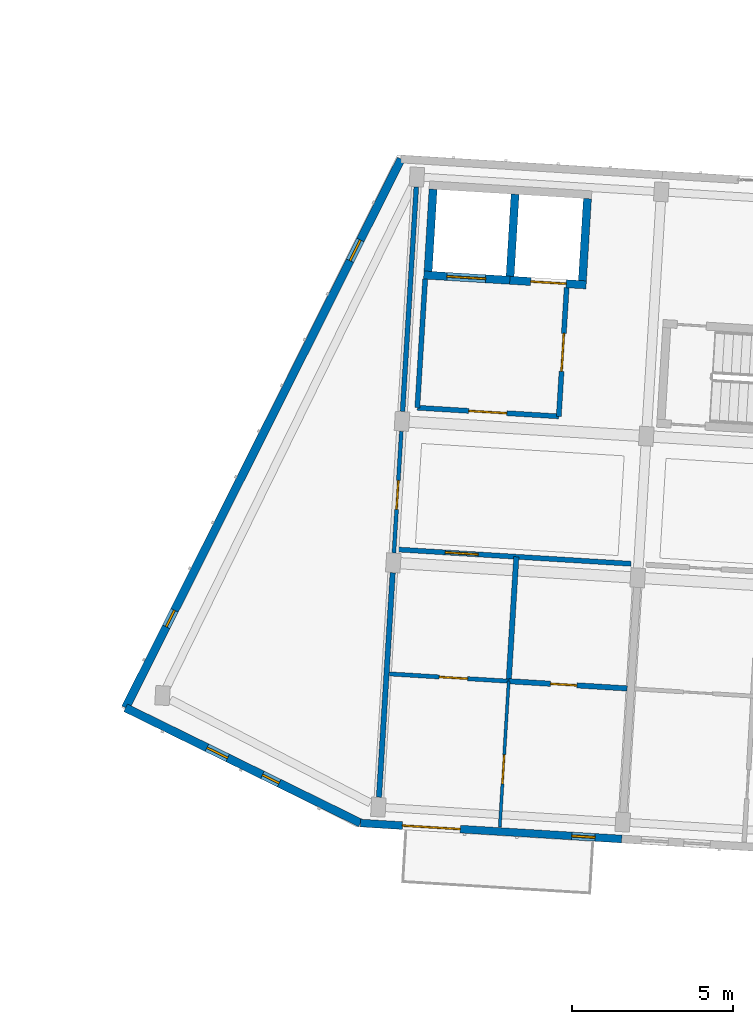
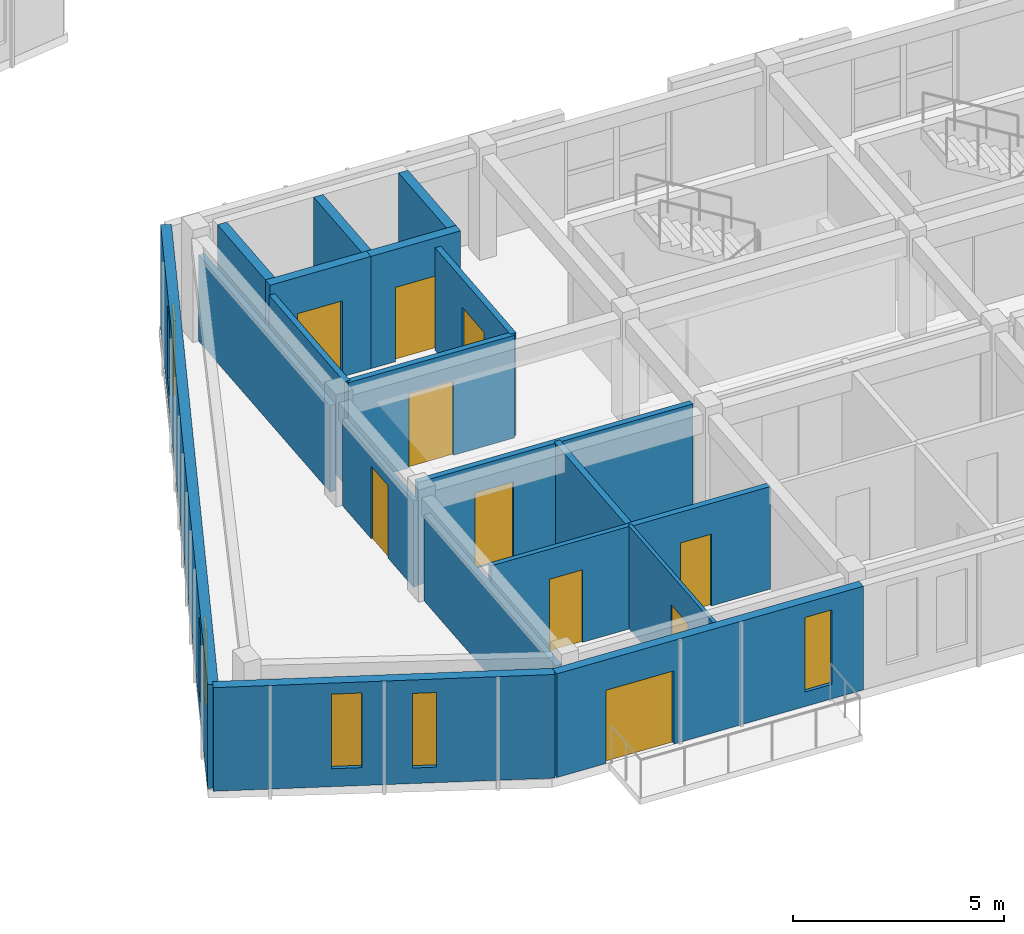
# One storey, part 19 of 65: 19 walls, 10 doors, 5 windows, 15 openings.
"""IFC4 building model written with IfcOpenShell, lengths in metres."""

from ifc_helpers import new_model, si_unit, direction, frame, frame_2d, origin, place, context, subcontext, project, spatial, rectangle, extrude, material, layer, layer_set, type_object, element, fill, save


model = new_model("IFC4")

# Units and contexts
model_context = context("Model", 3, precision=1e-05, world=origin(), true_north=direction((0.0, 1.0)))
body_context = subcontext(model_context, "Body", "Model", "MODEL_VIEW")
ifc_project = project(units=[si_unit("LENGTHUNIT", "METRE"), si_unit("AREAUNIT", "SQUARE_METRE"), si_unit("VOLUMEUNIT", "CUBIC_METRE"), si_unit("PLANEANGLEUNIT", "RADIAN"), si_unit("MASSUNIT", "GRAM", prefix="KILO")], contexts=[model_context])

# Site, building, storey
site_placement = place(None, origin())
site = spatial("IfcSite", under=ifc_project, at=site_placement, CompositionType="ELEMENT")
building_placement = place(site_placement, origin())
building = spatial("IfcBuilding", under=site, at=building_placement, Name="Kestramere Prow Commons", CompositionType="ELEMENT")
storey_placement = place(building_placement, frame((0.0, 0.0, 21.39990234375)))
storey = spatial("IfcBuildingStorey", under=building, at=storey_placement, Name="L06", CompositionType="ELEMENT", Elevation=21.39990234375)

# Wall, openings, windows
ifc_material_1 = material(Name="Weathered Zinc-Titanium Standing-Seam Cladding")
ifc_layer_1 = layer(ifc_material_1, 0.260009765625)
ifc_layer_set_1 = layer_set([ifc_layer_1], Name="Weathered Zinc-Titanium Standing-Seam Cladding")
wall_type_1 = type_object("IfcWallType", Name="EW-PROW-260", PredefinedType="SOLIDWALL", material=ifc_layer_set_1)
wall_1_placement = place(storey_placement, frame((58.94384765625, 46.008056640625, 0.0), z_axis=(0.0, 0.0, 1.0), x_axis=(-0.897775054318, 0.440454256246, 0.0)))
wall_1 = element("IfcWall", 1, at=wall_1_placement, inside=storey, type_object=wall_type_1, Name="Block C L06 PRW-S Facet Wall", PredefinedType="SOLIDWALL", context=body_context, shape_type="SweptSolid", body=[
    extrude(rectangle(XDim=8.120361328125, YDim=0.260009765625, at=frame_2d((4.06005859375, 0.0))), origin(), (0.0, 0.0, 1.0), 3.0),
])
opening_1_placement = place(wall_1_placement, frame((2.81005859375, 0.0, 0.449951171875)))
opening_1 = element("IfcOpeningElement", 2, at=opening_1_placement, cuts=wall_1, Name="Opening WN-01", PredefinedType="OPENING", context=body_context, shape_type="SweptSolid", body=[
    extrude(rectangle(XDim=0.580078125, YDim=2.159912109375, at=frame_2d((0.2900390625, 1.080078125))), frame((0.0, 0.14501953125, 0.0), z_axis=(0.0, -1.0, 0.0), x_axis=(1.0, 0.0, 0.0)), (0.0, 0.0, 1.0), 0.2900390625),
])
opening_2_placement = place(wall_1_placement, frame((4.59033203125, 0.0, 0.52001953125)))
opening_2 = element("IfcOpeningElement", 3, at=opening_2_placement, cuts=wall_1, Name="Opening WN-08", PredefinedType="OPENING", context=body_context, shape_type="SweptSolid", body=[
    extrude(rectangle(XDim=0.719970703125, YDim=2.159912109375, at=frame_2d((0.35986328125, 1.080078125))), frame((0.0, 0.14501953125, 0.0), z_axis=(0.0, -1.0, 0.0), x_axis=(1.0, 0.0, 0.0)), (0.0, 0.0, 1.0), 0.2900390625),
])
ifc_material_2 = material(Name="Low-E Laminated Double Glazing", Category="glass")
window_type_1 = type_object("IfcWindowType", Name="WN-NAR-580A", PartitioningType="SINGLE_PANEL", PredefinedType="WINDOW", material=ifc_material_2)
window_1_placement = place(opening_1_placement, origin())
window_1 = element("IfcWindow", 4, at=window_1_placement, inside=storey, type_object=window_type_1, Name="WN-C-L06-PRW-S-0", OverallHeight=2.159912109375, OverallWidth=0.580078125, PartitioningType="SINGLE_PANEL", PredefinedType="WINDOW", context=body_context, shape_type="SweptSolid", body=[
    extrude(rectangle(XDim=0.580078125, YDim=2.159912109375, at=frame_2d((0.2900390625, 1.080078125))), frame((0.0, 0.030029296875, 0.0), z_axis=(0.0, -1.0, 0.0), x_axis=(1.0, 0.0, 0.0)), (0.0, 0.0, 1.0), 0.06005859375),
])
fill(opening_1, window_1)
window_type_2 = type_object("IfcWindowType", Name="WN-NAR-720A", PartitioningType="SINGLE_PANEL", PredefinedType="WINDOW", material=ifc_material_2)
window_2_placement = place(opening_2_placement, origin())
window_2 = element("IfcWindow", 5, at=window_2_placement, inside=storey, type_object=window_type_2, Name="WN-C-L06-PRW-S-1", OverallHeight=2.159912109375, OverallWidth=0.719970703125, PartitioningType="SINGLE_PANEL", PredefinedType="WINDOW", context=body_context, shape_type="SweptSolid", body=[
    extrude(rectangle(XDim=0.719970703125, YDim=2.159912109375, at=frame_2d((0.35986328125, 1.080078125))), frame((0.0, 0.030029296875, 0.0), z_axis=(0.0, -1.0, 0.0), x_axis=(1.0, 0.0, 0.0)), (0.0, 0.0, 1.0), 0.06005859375),
])
fill(opening_2, window_2)

wall_2_placement = place(storey_placement, frame((51.653564453125, 49.584716796875, 0.0), z_axis=(0.0, 0.0, 1.0), x_axis=(0.448621989068, 0.893721607059, 0.0)))
wall_2 = element("IfcWall", 6, at=wall_2_placement, inside=storey, type_object=wall_type_1, Name="Block C L06 PRW-N Facet Wall", PredefinedType="SOLIDWALL", context=body_context, shape_type="SweptSolid", body=[
    extrude(rectangle(XDim=19.060546875, YDim=0.260009765625, at=frame_2d((9.5302734375, 0.0))), origin(), (0.0, 0.0, 1.0), 3.0),
])
opening_3_placement = place(wall_2_placement, frame((2.81005859375, 0.0, 0.449951171875)))
opening_3 = element("IfcOpeningElement", 7, at=opening_3_placement, cuts=wall_2, Name="Opening WN-01", PredefinedType="OPENING", context=body_context, shape_type="SweptSolid", body=[
    extrude(rectangle(XDim=0.580078125, YDim=2.159912109375, at=frame_2d((0.2900390625, 1.080078125))), frame((0.0, 0.14501953125, 0.0), z_axis=(0.0, -1.0, 0.0), x_axis=(1.0, 0.0, 0.0)), (0.0, 0.0, 1.0), 0.2900390625),
])
opening_4_placement = place(wall_2_placement, frame((15.530517578125, 0.0, 0.52001953125)))
opening_4 = element("IfcOpeningElement", 8, at=opening_4_placement, cuts=wall_2, Name="Opening WN-08", PredefinedType="OPENING", context=body_context, shape_type="SweptSolid", body=[
    extrude(rectangle(XDim=0.719970703125, YDim=2.159912109375, at=frame_2d((0.35986328125, 1.080078125))), frame((0.0, 0.14501953125, 0.0), z_axis=(0.0, -1.0, 0.0), x_axis=(1.0, 0.0, 0.0)), (0.0, 0.0, 1.0), 0.2900390625),
])
window_3_placement = place(opening_3_placement, origin())
window_3 = element("IfcWindow", 9, at=window_3_placement, inside=storey, type_object=window_type_1, Name="WN-C-L06-PRW-N-0", OverallHeight=2.159912109375, OverallWidth=0.580078125, PartitioningType="SINGLE_PANEL", PredefinedType="WINDOW", context=body_context, shape_type="SweptSolid", body=[
    extrude(rectangle(XDim=0.580078125, YDim=2.159912109375, at=frame_2d((0.2900390625, 1.080078125))), frame((0.0, 0.030029296875, 0.0), z_axis=(0.0, -1.0, 0.0), x_axis=(1.0, 0.0, 0.0)), (0.0, 0.0, 1.0), 0.06005859375),
])
fill(opening_3, window_3)
window_4_placement = place(opening_4_placement, origin())
window_4 = element("IfcWindow", 10, at=window_4_placement, inside=storey, type_object=window_type_2, Name="WN-C-L06-PRW-N-1", OverallHeight=2.159912109375, OverallWidth=0.719970703125, PartitioningType="SINGLE_PANEL", PredefinedType="WINDOW", context=body_context, shape_type="SweptSolid", body=[
    extrude(rectangle(XDim=0.719970703125, YDim=2.159912109375, at=frame_2d((0.35986328125, 1.080078125))), frame((0.0, 0.030029296875, 0.0), z_axis=(0.0, -1.0, 0.0), x_axis=(1.0, 0.0, 0.0)), (0.0, 0.0, 1.0), 0.06005859375),
])
fill(opening_4, window_4)

# Wall, openings, door, window
ifc_material_3 = material(Name="Fluoropolymer Standing-Seam Zinc-Aluminium Cladding", Category="aluminium")
ifc_layer_2 = layer(ifc_material_3, 0.239990234375)
ifc_layer_set_2 = layer_set([ifc_layer_2], Name="Fluoropolymer Standing-Seam Zinc-Aluminium Cladding")
wall_type_2 = type_object("IfcWallType", Name="EW-SEAM-240", PredefinedType="SOLIDWALL", material=ifc_layer_set_2)
wall_3_placement = place(storey_placement, frame((67.0537109375, 45.511962890625, 0.0), z_axis=(0.0, 0.0, 1.0), x_axis=(-0.998134248939, 0.061057522844, 0.0)))
wall_3 = element("IfcWall", 11, at=wall_3_placement, inside=storey, type_object=wall_type_2, Name="Block C L06 South Standing-Seam Wall 1", PredefinedType="SOLIDWALL", context=body_context, shape_type="SweptSolid", body=[
    extrude(rectangle(XDim=8.125, YDim=0.239990234375, at=frame_2d((4.0625, 0.0))), origin(), (0.0, 0.0, 1.0), 3.0),
])
opening_5_placement = place(wall_3_placement, frame((5.01904296875, 0.0, 0.0)))
opening_5 = element("IfcOpeningElement", 12, at=opening_5_placement, cuts=wall_3, Name="Opening GD-BAL-02", PredefinedType="OPENING", context=body_context, shape_type="SweptSolid", body=[
    extrude(rectangle(XDim=1.800048828125, YDim=2.1201171875, at=frame_2d((0.89990234375, 1.06005859375))), frame((0.0, 0.135009765625, 0.0), z_axis=(0.0, -1.0, 0.0), x_axis=(1.0, 0.0, 0.0)), (0.0, 0.0, 1.0), 0.27001953125),
])
opening_6_placement = place(wall_3_placement, frame((0.830078125, 0.0, 0.419921875)))
opening_6 = element("IfcOpeningElement", 13, at=opening_6_placement, cuts=wall_3, Name="Opening WN-08", PredefinedType="OPENING", context=body_context, shape_type="SweptSolid", body=[
    extrude(rectangle(XDim=0.719970703125, YDim=2.159912109375, at=frame_2d((0.35986328125, 1.080078125))), frame((0.0, 0.135009765625, 0.0), z_axis=(0.0, -1.0, 0.0), x_axis=(1.0, 0.0, 0.0)), (0.0, 0.0, 1.0), 0.27001953125),
])
ifc_material_4 = material(Name="Thermally-Broken Anodised Aluminium Glazed", Category="aluminium")
door_type_1 = type_object("IfcDoorType", Name="GD-BAL-1800", OperationType="SLIDING_TO_LEFT", PredefinedType="DOOR", material=ifc_material_4)
door_1_placement = place(opening_5_placement, origin())
door_1 = element("IfcDoor", 14, at=door_1_placement, inside=storey, type_object=door_type_1, Name="Block C L06 Balcony Door 1", OperationType="SLIDING_TO_LEFT", OverallHeight=2.1201171875, OverallWidth=1.800048828125, PredefinedType="DOOR", context=body_context, shape_type="SweptSolid", body=[
    extrude(rectangle(XDim=1.800048828125, YDim=2.1201171875, at=frame_2d((0.89990234375, 1.06005859375))), frame((0.0, 0.02490234375, 0.0), z_axis=(0.0, -1.0, 0.0), x_axis=(1.0, 0.0, 0.0)), (0.0, 0.0, 1.0), 0.050048828125),
])
fill(opening_5, door_1)
window_5_placement = place(opening_6_placement, origin())
window_5 = element("IfcWindow", 15, at=window_5_placement, inside=storey, type_object=window_type_2, Name="WN-C-L06-SR-0", OverallHeight=2.159912109375, OverallWidth=0.719970703125, PartitioningType="SINGLE_PANEL", PredefinedType="WINDOW", context=body_context, shape_type="SweptSolid", body=[
    extrude(rectangle(XDim=0.719970703125, YDim=2.159912109375, at=frame_2d((0.35986328125, 1.080078125))), frame((0.0, 0.030029296875, 0.0), z_axis=(0.0, -1.0, 0.0), x_axis=(1.0, 0.0, 0.0)), (0.0, 0.0, 1.0), 0.06005859375),
])
fill(opening_6, window_5)

# Wall, opening, door
ifc_material_5 = material(Name="Concrete C40/50", Category="concrete")
ifc_layer_3 = layer(ifc_material_5, 0.25)
ifc_layer_set_3 = layer_set([ifc_layer_3], Name="Concrete C40/50")
wall_type_3 = type_object("IfcWallType", Name="W-CORE-250", PredefinedType="SHEAR", material=ifc_layer_set_3)
wall_4_placement = place(storey_placement, frame((60.9111328125, 63.019775390625, 0.0), z_axis=(0.0, 0.0, 1.0), x_axis=(0.998134099905, -0.061059959111, 0.0)))
wall_4 = element("IfcWall", 16, at=wall_4_placement, inside=storey, type_object=wall_type_3, Name="Block C L06 Fire Lift Shaft Front Wall", PredefinedType="SHEAR", context=body_context, shape_type="SweptSolid", body=[
    extrude(rectangle(XDim=2.6748046875, YDim=0.25, at=frame_2d((1.33740234375, 0.0))), origin(), (0.0, 0.0, 1.0), 3.25),
])
opening_7_placement = place(wall_4_placement, frame((0.719970703125, 0.0, 0.0)))
opening_7 = element("IfcOpeningElement", 17, at=opening_7_placement, cuts=wall_4, Name="Opening LD-02", PredefinedType="OPENING", context=body_context, shape_type="SweptSolid", body=[
    extrude(rectangle(XDim=1.199951171875, YDim=2.199951171875, at=frame_2d((0.60009765625, 1.10009765625))), frame((0.0, 0.139892578125, 0.0), z_axis=(0.0, -1.0, 0.0), x_axis=(1.0, 0.0, 0.0)), (0.0, 0.0, 1.0), 0.280029296875),
])
ifc_material_6 = material(Name="Brushed Stainless Steel 316", Category="steel")
door_type_2 = type_object("IfcDoorType", Name="LD-02", OperationType="DOUBLE_DOOR_SLIDING", PredefinedType="DOOR", material=ifc_material_6)
door_2_placement = place(opening_7_placement, origin())
door_2 = element("IfcDoor", 18, at=door_2_placement, inside=storey, type_object=door_type_2, Name="FL-C1 L06 Lift Landing Door", OperationType="DOUBLE_DOOR_SLIDING", OverallHeight=2.199951171875, OverallWidth=1.199951171875, PredefinedType="DOOR", context=body_context, shape_type="SweptSolid", body=[
    extrude(rectangle(XDim=1.199951171875, YDim=2.199951171875, at=frame_2d((0.60009765625, 1.10009765625))), frame((0.0, 0.02490234375, 0.0), z_axis=(0.0, -1.0, 0.0), x_axis=(1.0, 0.0, 0.0)), (0.0, 0.0, 1.0), 0.050048828125),
])
fill(opening_7, door_2)

wall_5_placement = place(storey_placement, frame((63.5810546875, 62.8564453125, 0.0), z_axis=(0.0, 0.0, 1.0), x_axis=(0.998134103342, -0.061059902923, 0.0)))
wall_5 = element("IfcWall", 19, at=wall_5_placement, inside=storey, type_object=wall_type_3, Name="Block C L06 Passenger Lift Shaft Front Wall", PredefinedType="SHEAR", context=body_context, shape_type="SweptSolid", body=[
    extrude(rectangle(XDim=2.375, YDim=0.25, at=frame_2d((1.1875, 0.0))), origin(), (0.0, 0.0, 1.0), 3.25),
])
opening_8_placement = place(wall_5_placement, frame((0.64990234375, 0.0, 0.0)))
opening_8 = element("IfcOpeningElement", 20, at=opening_8_placement, cuts=wall_5, Name="Opening LD-01", PredefinedType="OPENING", context=body_context, shape_type="SweptSolid", body=[
    extrude(rectangle(XDim=1.10009765625, YDim=2.14990234375, at=frame_2d((0.550048828125, 1.074951171875))), frame((0.0, 0.139892578125, 0.0), z_axis=(0.0, -1.0, 0.0), x_axis=(1.0, 0.0, 0.0)), (0.0, 0.0, 1.0), 0.280029296875),
])
ifc_material_7 = material(Name="Brushed Stainless Steel 304", Category="steel")
door_type_3 = type_object("IfcDoorType", Name="LD-01", OperationType="DOUBLE_DOOR_SLIDING", PredefinedType="DOOR", material=ifc_material_7)
door_3_placement = place(opening_8_placement, origin())
door_3 = element("IfcDoor", 21, at=door_3_placement, inside=storey, type_object=door_type_3, Name="PL-C2 L06 Lift Landing Door", OperationType="DOUBLE_DOOR_SLIDING", OverallHeight=2.14990234375, OverallWidth=1.10009765625, PredefinedType="DOOR", context=body_context, shape_type="SweptSolid", body=[
    extrude(rectangle(XDim=1.10009765625, YDim=2.14990234375, at=frame_2d((0.550048828125, 1.074951171875))), frame((0.0, 0.02490234375, 0.0), z_axis=(0.0, -1.0, 0.0), x_axis=(1.0, 0.0, 0.0)), (0.0, 0.0, 1.0), 0.050048828125),
])
fill(opening_8, door_3)

# Walls
wall_6_placement = place(storey_placement, frame((61.04345703125, 63.13671875, 0.0), z_axis=(0.0, 0.0, 1.0), x_axis=(0.061078919587, 0.998132939834, 0.0)))
element("IfcWall", 22, at=wall_6_placement, inside=storey, type_object=wall_type_3, Name="Block C L06 Lift Core Side Wall L", PredefinedType="SHEAR", context=body_context, shape_type="SweptSolid", body=[
    extrude(rectangle(XDim=2.55029296875, YDim=0.25, at=frame_2d((1.275146484375, 0.0))), origin(), (0.0, 0.0, 1.0), 3.25),
])
wall_7_placement = place(storey_placement, frame((63.5888671875, 62.981201171875, 0.0), z_axis=(0.0, 0.0, 1.0), x_axis=(0.060989368901, 0.998138415692, 0.0)))
element("IfcWall", 23, at=wall_7_placement, inside=storey, type_object=wall_type_3, Name="Block C L06 Lift Core Side Wall M", PredefinedType="SHEAR", context=body_context, shape_type="SweptSolid", body=[
    extrude(rectangle(XDim=2.5498046875, YDim=0.25, at=frame_2d((1.27490234375, 0.0))), origin(), (0.0, 0.0, 1.0), 3.25),
])
wall_8_placement = place(storey_placement, frame((65.83447265625, 62.84375, 0.0), z_axis=(0.0, 0.0, 1.0), x_axis=(0.061084756616, 0.998132582631, 0.0)))
element("IfcWall", 24, at=wall_8_placement, inside=storey, type_object=wall_type_3, Name="Block C L06 Lift Core Side Wall R", PredefinedType="SHEAR", context=body_context, shape_type="SweptSolid", body=[
    extrude(rectangle(XDim=2.550048828125, YDim=0.25, at=frame_2d((1.27490234375, 0.0))), origin(), (0.0, 0.0, 1.0), 3.25),
])

# Wall, opening, door
ifc_material_8 = material(Name="Fire-Rated Calcium Silicate Wall")
ifc_layer_4 = layer(ifc_material_8, 0.155029296875)
ifc_layer_set_4 = layer_set([ifc_layer_4], Name="Fire-Rated Calcium Silicate Wall")
wall_type_4 = type_object("IfcWallType", Name="W-FIRE-150", PredefinedType="PARTITIONING", material=ifc_layer_set_4)
wall_9_placement = place(storey_placement, frame((60.709228515625, 58.8994140625, 0.0), z_axis=(0.0, 0.0, 1.0), x_axis=(0.998132276607, -0.061089756882, 0.0)))
wall_9 = element("IfcWall", 25, at=wall_9_placement, inside=storey, type_object=wall_type_4, Name="Interior Partition PW-C-L06-FFL-S", PredefinedType="PARTITIONING", context=body_context, shape_type="SweptSolid", body=[
    extrude(rectangle(XDim=4.400146484375, YDim=0.155029296875, at=frame_2d((2.2001953125, 0.0))), origin(), (0.0, 0.0, 1.0), 2.97021484375),
])
opening_9_placement = place(wall_9_placement, frame((1.60009765625, 0.0, 0.0)))
opening_9 = element("IfcOpeningElement", 26, at=opening_9_placement, cuts=wall_9, Name="Opening ID-03", PredefinedType="OPENING", context=body_context, shape_type="SweptSolid", body=[
    extrude(rectangle(XDim=1.179931640625, YDim=2.14990234375, at=frame_2d((0.58984375, 1.074951171875))), frame((0.0, 0.092529296875, 0.0), z_axis=(0.0, -1.0, 0.0), x_axis=(1.0, 0.0, 0.0)), (0.0, 0.0, 1.0), 0.18505859375),
])
ifc_material_9 = material(Name="Fire-Rated Glazed Smoke-Stop Door")
door_type_4 = type_object("IfcDoorType", Name="FD-LB-01", OperationType="NOTDEFINED", PredefinedType="DOOR", material=ifc_material_9)
door_4_placement = place(opening_9_placement, origin())
door_4 = element("IfcDoor", 27, at=door_4_placement, inside=storey, type_object=door_type_4, Name="Interior Door DR-C-L06-FFL", OperationType="SINGLE_SWING_LEFT", OverallHeight=2.14990234375, OverallWidth=1.179931640625, PredefinedType="DOOR", context=body_context, shape_type="SweptSolid", body=[
    extrude(rectangle(XDim=1.179931640625, YDim=2.14990234375, at=frame_2d((0.58984375, 1.074951171875))), frame((0.0, 0.02490234375, 0.0), z_axis=(0.0, -1.0, 0.0), x_axis=(1.0, 0.0, 0.0)), (0.0, 0.0, 1.0), 0.050048828125),
])
fill(opening_9, door_4)

# Wall
wall_10_placement = place(storey_placement, frame((60.709228515625, 58.8994140625, 0.0), z_axis=(0.0, 0.0, 1.0), x_axis=(0.061036844229, 0.998135513669, 0.0)))
element("IfcWall", 28, at=wall_10_placement, inside=storey, type_object=wall_type_4, Name="Interior Partition PW-C-L06-FFL-W", PredefinedType="PARTITIONING", context=body_context, shape_type="SweptSolid", body=[
    extrude(rectangle(XDim=4.0, YDim=0.155029296875, at=frame_2d((2.0, 0.0))), origin(), (0.0, 0.0, 1.0), 2.97021484375),
])

# Wall, opening, door
wall_11_placement = place(storey_placement, frame((65.10107421875, 58.630615234375, 0.0), z_axis=(0.0, 0.0, 1.0), x_axis=(0.061033125904, 0.99813574104, 0.0)))
wall_11 = element("IfcWall", 29, at=wall_11_placement, inside=storey, type_object=wall_type_4, Name="Interior Partition PW-C-L06-FFL-E", PredefinedType="PARTITIONING", context=body_context, shape_type="SweptSolid", body=[
    extrude(rectangle(XDim=4.000244140625, YDim=0.155029296875, at=frame_2d((2.0, 0.0))), origin(), (0.0, 0.0, 1.0), 2.97021484375),
])
opening_10_placement = place(wall_11_placement, frame((1.39990234375, 0.0, 0.0)))
opening_10 = element("IfcOpeningElement", 30, at=opening_10_placement, cuts=wall_11, Name="Opening ID-03", PredefinedType="OPENING", context=body_context, shape_type="SweptSolid", body=[
    extrude(rectangle(XDim=1.179931640625, YDim=2.14990234375, at=frame_2d((0.58984375, 1.074951171875))), frame((0.0, 0.092529296875, 0.0), z_axis=(0.0, -1.0, 0.0), x_axis=(1.0, 0.0, 0.0)), (0.0, 0.0, 1.0), 0.18505859375),
])
door_5_placement = place(opening_10_placement, origin())
door_5 = element("IfcDoor", 31, at=door_5_placement, inside=storey, type_object=door_type_4, Name="Interior Door DR-C-L06-FFL-PL", OperationType="SINGLE_SWING_LEFT", OverallHeight=2.14990234375, OverallWidth=1.179931640625, PredefinedType="DOOR", context=body_context, shape_type="SweptSolid", body=[
    extrude(rectangle(XDim=1.179931640625, YDim=2.14990234375, at=frame_2d((0.58984375, 1.074951171875))), frame((0.0, 0.02490234375, 0.0), z_axis=(0.0, -1.0, 0.0), x_axis=(1.0, 0.0, 0.0)), (0.0, 0.0, 1.0), 0.050048828125),
])
fill(opening_10, door_5)

wall_12_placement = place(storey_placement, frame((60.0595703125, 54.500732421875, 0.0), z_axis=(0.0, 0.0, 1.0), x_axis=(0.998135030865, -0.061044739012, 0.0)))
wall_12 = element("IfcWall", 32, at=wall_12_placement, inside=storey, type_object=wall_type_4, Name="Interior Partition PW-C-L06-CS-0", PredefinedType="PARTITIONING", context=body_context, shape_type="SweptSolid", body=[
    extrude(rectangle(XDim=7.294921875, YDim=0.155029296875, at=frame_2d((3.6474609375, 0.0))), origin(), (0.0, 0.0, 1.0), 2.97021484375),
])
opening_11_placement = place(wall_12_placement, frame((1.52001953125, 0.0, 0.0)))
opening_11 = element("IfcOpeningElement", 33, at=opening_11_placement, cuts=wall_12, Name="Opening ID-05", PredefinedType="OPENING", context=body_context, shape_type="SweptSolid", body=[
    extrude(rectangle(XDim=1.02001953125, YDim=2.199951171875, at=frame_2d((0.510009765625, 1.10009765625))), frame((0.0, 0.092529296875, 0.0), z_axis=(0.0, -1.0, 0.0), x_axis=(1.0, 0.0, 0.0)), (0.0, 0.0, 1.0), 0.18505859375),
])
ifc_material_10 = material(Name="Hardwood Fire-Rated Flat Entrance Door", Category="wood")
door_type_5 = type_object("IfcDoorType", Name="FD-ENT-02", OperationType="NOTDEFINED", PredefinedType="DOOR", material=ifc_material_10)
door_6_placement = place(opening_11_placement, origin())
door_6 = element("IfcDoor", 34, at=door_6_placement, inside=storey, type_object=door_type_5, Name="Interior Door DR-C-L06-ENT-S0", OperationType="SINGLE_SWING_LEFT", OverallHeight=2.199951171875, OverallWidth=1.02001953125, PredefinedType="DOOR", context=body_context, shape_type="SweptSolid", body=[
    extrude(rectangle(XDim=1.02001953125, YDim=2.199951171875, at=frame_2d((0.510009765625, 1.10009765625))), frame((0.0, 0.02490234375, 0.0), z_axis=(0.0, -1.0, 0.0), x_axis=(1.0, 0.0, 0.0)), (0.0, 0.0, 1.0), 0.050048828125),
])
fill(opening_11, door_6)

ifc_material_11 = material(Name="Lightweight Blockwork and Plaster", Category="masonry")
ifc_layer_5 = layer(ifc_material_11, 0.1201171875)
ifc_layer_set_5 = layer_set([ifc_layer_5], Name="Lightweight Blockwork and Plaster")
wall_type_5 = type_object("IfcWallType", Name="W-PART-120", PredefinedType="PARTITIONING", material=ifc_layer_set_5)
wall_13_placement = place(storey_placement, frame((59.98291015625, 54.395263671875, 0.0), z_axis=(0.0, 0.0, 1.0), x_axis=(0.061035211258, 0.998135613525, 0.0)))
wall_13 = element("IfcWall", 35, at=wall_13_placement, inside=storey, type_object=wall_type_5, Name="Interior Partition PW-C-L06-PROW-ACC", PredefinedType="PARTITIONING", context=body_context, shape_type="SweptSolid", body=[
    extrude(rectangle(XDim=3.780029296875, YDim=0.1201171875, at=frame_2d((1.89013671875, 0.0))), origin(), (0.0, 0.0, 1.0), 2.5),
])
opening_12_placement = place(wall_13_placement, frame((1.35009765625, 0.0, 0.0)))
opening_12 = element("IfcOpeningElement", 36, at=opening_12_placement, cuts=wall_13, Name="Opening ID-08", PredefinedType="OPENING", context=body_context, shape_type="SweptSolid", body=[
    extrude(rectangle(XDim=0.89990234375, YDim=2.10009765625, at=frame_2d((0.449951171875, 1.050048828125))), frame((0.0, 0.074951171875, 0.0), z_axis=(0.0, -1.0, 0.0), x_axis=(1.0, 0.0, 0.0)), (0.0, 0.0, 1.0), 0.150146484375),
])
ifc_material_12 = material(Name="Engineered Timber Flush Door", Category="wood")
door_type_6 = type_object("IfcDoorType", Name="D-RM-01", OperationType="NOTDEFINED", PredefinedType="DOOR", material=ifc_material_12)
door_7_placement = place(opening_12_placement, origin())
door_7 = element("IfcDoor", 37, at=door_7_placement, inside=storey, type_object=door_type_6, Name="Interior Door DR-C-L06-PROW", OperationType="SINGLE_SWING_LEFT", OverallHeight=2.10009765625, OverallWidth=0.89990234375, PredefinedType="DOOR", context=body_context, shape_type="SweptSolid", body=[
    extrude(rectangle(XDim=0.89990234375, YDim=2.10009765625, at=frame_2d((0.449951171875, 1.050048828125))), frame((0.0, 0.02490234375, 0.0), z_axis=(0.0, -1.0, 0.0), x_axis=(1.0, 0.0, 0.0)), (0.0, 0.0, 1.0), 0.050048828125),
])
fill(opening_12, door_7)

ifc_layer_6 = layer(ifc_material_11, 0.1298828125)
ifc_layer_set_6 = layer_set([ifc_layer_6], Name="Lightweight Blockwork and Plaster")
wall_type_6 = type_object("IfcWallType", Name="W-PART-130", PredefinedType="PARTITIONING", material=ifc_layer_set_6)
wall_14_placement = place(storey_placement, frame((59.84326171875, 50.63671875, 0.0), z_axis=(0.0, 0.0, 1.0), x_axis=(0.998133408508, -0.061071260176, 0.0)))
wall_14 = element("IfcWall", 38, at=wall_14_placement, inside=storey, type_object=wall_type_6, Name="Interior Partition PW-C-L06-MIDS1-0", PredefinedType="PARTITIONING", context=body_context, shape_type="SweptSolid", body=[
    extrude(rectangle(XDim=3.709716796875, YDim=0.1298828125, at=frame_2d((1.85498046875, 0.0))), origin(), (0.0, 0.0, 1.0), 2.97021484375),
])
opening_13_placement = place(wall_14_placement, frame((1.550048828125, 0.0, 0.0)))
opening_13 = element("IfcOpeningElement", 39, at=opening_13_placement, cuts=wall_14, Name="Opening ID-10", PredefinedType="OPENING", context=body_context, shape_type="SweptSolid", body=[
    extrude(rectangle(XDim=0.8798828125, YDim=2.10009765625, at=frame_2d((0.43994140625, 1.050048828125))), frame((0.0, 0.079833984375, 0.0), z_axis=(0.0, -1.0, 0.0), x_axis=(1.0, 0.0, 0.0)), (0.0, 0.0, 1.0), 0.159912109375),
])
ifc_material_13 = material(Name="Engineered Timber Bedroom Door", Category="wood")
door_type_7 = type_object("IfcDoorType", Name="D-RM-03", OperationType="NOTDEFINED", PredefinedType="DOOR", material=ifc_material_13)
door_8_placement = place(opening_13_placement, origin())
door_8 = element("IfcDoor", 40, at=door_8_placement, inside=storey, type_object=door_type_7, Name="Interior Door DR-C-L06-KL-S0", OperationType="SINGLE_SWING_RIGHT", OverallHeight=2.10009765625, OverallWidth=0.8798828125, PredefinedType="DOOR", context=body_context, shape_type="SweptSolid", body=[
    extrude(rectangle(XDim=0.8798828125, YDim=2.10009765625, at=frame_2d((0.43994140625, 1.050048828125))), frame((0.0, 0.02490234375, 0.0), z_axis=(0.0, -1.0, 0.0), x_axis=(1.0, 0.0, 0.0)), (0.0, 0.0, 1.0), 0.050048828125),
])
fill(opening_13, door_8)

# Wall
ifc_material_14 = material(Name="Masonry Compartment Wall", Category="masonry")
ifc_layer_7 = layer(ifc_material_14, 0.14990234375)
ifc_layer_set_7 = layer_set([ifc_layer_7], Name="Masonry Compartment Wall")
wall_type_7 = type_object("IfcWallType", Name="W-PART-150", PredefinedType="PARTITIONING", material=ifc_layer_set_7)
wall_15_placement = place(storey_placement, frame((60.25146484375, 58.787109375, 0.0), z_axis=(0.0, 0.0, 1.0), x_axis=(0.061071659957, 0.998133384047, 0.0)))
element("IfcWall", 41, at=wall_15_placement, inside=storey, type_object=wall_type_7, Name="Interior Partition PW-C-L06-PRW-N", PredefinedType="PARTITIONING", context=body_context, shape_type="SweptSolid", body=[
    extrude(rectangle(XDim=6.979736328125, YDim=0.14990234375, at=frame_2d((3.48974609375, 0.0))), origin(), (0.0, 0.0, 1.0), 2.5),
])

# Wall, opening, door
ifc_material_15 = material(Name="Gypsum Acoustic Drywall")
ifc_layer_8 = layer(ifc_material_15, 0.094970703125)
ifc_layer_set_8 = layer_set([ifc_layer_8], Name="Gypsum Acoustic Drywall")
wall_type_8 = type_object("IfcWallType", Name="W-PART-95", PredefinedType="PARTITIONING", material=ifc_layer_set_8)
wall_16_placement = place(storey_placement, frame((63.26904296875, 45.878662109375, 0.0), z_axis=(0.0, 0.0, 1.0), x_axis=(0.061035713941, 0.998135582786, 0.0)))
wall_16 = element("IfcWall", 42, at=wall_16_placement, inside=storey, type_object=wall_type_8, Name="Interior Partition PW-C-L06-LB-S0", PredefinedType="PARTITIONING", context=body_context, shape_type="SweptSolid", body=[
    extrude(rectangle(XDim=4.5400390625, YDim=0.094970703125, at=frame_2d((2.27001953125, 0.0))), origin(), (0.0, 0.0, 1.0), 2.97021484375),
])
opening_14_placement = place(wall_16_placement, frame((1.35009765625, 0.0, 0.0)))
opening_14 = element("IfcOpeningElement", 43, at=opening_14_placement, cuts=wall_16, Name="Opening ID-08", PredefinedType="OPENING", context=body_context, shape_type="SweptSolid", body=[
    extrude(rectangle(XDim=0.89990234375, YDim=2.10009765625, at=frame_2d((0.449951171875, 1.050048828125))), frame((0.0, 0.0625, 0.0), z_axis=(0.0, -1.0, 0.0), x_axis=(1.0, 0.0, 0.0)), (0.0, 0.0, 1.0), 0.125),
])
door_9_placement = place(opening_14_placement, origin())
door_9 = element("IfcDoor", 44, at=door_9_placement, inside=storey, type_object=door_type_6, Name="Interior Door DR-C-L06-BED-S0", OperationType="SINGLE_SWING_LEFT", OverallHeight=2.10009765625, OverallWidth=0.89990234375, PredefinedType="DOOR", context=body_context, shape_type="SweptSolid", body=[
    extrude(rectangle(XDim=0.89990234375, YDim=2.10009765625, at=frame_2d((0.449951171875, 1.050048828125))), frame((0.0, 0.02490234375, 0.0), z_axis=(0.0, -1.0, 0.0), x_axis=(1.0, 0.0, 0.0)), (0.0, 0.0, 1.0), 0.050048828125),
])
fill(opening_14, door_9)

# Wall
ifc_material_16 = material(Name="Waterproof Sanitary Masonry Wall", Category="masonry")
ifc_layer_9 = layer(ifc_material_16, 0.1650390625)
ifc_layer_set_9 = layer_set([ifc_layer_9], Name="Waterproof Sanitary Masonry Wall")
wall_type_9 = type_object("IfcWallType", Name="W-PLUMB-150", PredefinedType="PLUMBINGWALL", material=ifc_layer_set_9)
wall_17_placement = place(storey_placement, frame((59.51904296875, 46.809326171875, 0.0), z_axis=(0.0, 0.0, 1.0), x_axis=(0.061034681366, 0.998135645927, 0.0)))
element("IfcWall", 45, at=wall_17_placement, inside=storey, type_object=wall_type_9, Name="Interior Partition PW-C-L06-PRWW-S", PredefinedType="PLUMBINGWALL", context=body_context, shape_type="SweptSolid", body=[
    extrude(rectangle(XDim=6.97998046875, YDim=0.1650390625, at=frame_2d((3.489990234375, 0.0))), origin(), (0.0, 0.0, 1.0), 2.5),
])

# Wall, opening, door
wall_18_placement = place(storey_placement, frame((63.546142578125, 50.41015625, 0.0), z_axis=(0.0, 0.0, 1.0), x_axis=(0.998136719672, -0.061017119263, 0.0)))
wall_18 = element("IfcWall", 46, at=wall_18_placement, inside=storey, type_object=wall_type_9, Name="Interior Partition PW-C-L06-MIDS2-0", PredefinedType="PLUMBINGWALL", context=body_context, shape_type="SweptSolid", body=[
    extrude(rectangle(XDim=3.68505859375, YDim=0.1650390625, at=frame_2d((1.842529296875, 0.0))), origin(), (0.0, 0.0, 1.0), 2.97021484375),
])
opening_15_placement = place(wall_18_placement, frame((1.300048828125, 0.0, 0.0)))
opening_15 = element("IfcOpeningElement", 47, at=opening_15_placement, cuts=wall_18, Name="Opening ID-11", PredefinedType="OPENING", context=body_context, shape_type="SweptSolid", body=[
    extrude(rectangle(XDim=0.820068359375, YDim=2.080078125, at=frame_2d((0.41015625, 1.0400390625))), frame((0.0, 0.097412109375, 0.0), z_axis=(0.0, -1.0, 0.0), x_axis=(1.0, 0.0, 0.0)), (0.0, 0.0, 1.0), 0.195068359375),
])
ifc_material_17 = material(Name="Moisture-Resistant Timber Bathroom Door", Category="wood")
door_type_8 = type_object("IfcDoorType", Name="D-BT-01", OperationType="NOTDEFINED", PredefinedType="DOOR", material=ifc_material_17)
door_10_placement = place(opening_15_placement, origin())
door_10 = element("IfcDoor", 48, at=door_10_placement, inside=storey, type_object=door_type_8, Name="Interior Door DR-C-L06-BTH-S0", OperationType="SINGLE_SWING_LEFT", OverallHeight=2.080078125, OverallWidth=0.820068359375, PredefinedType="DOOR", context=body_context, shape_type="SweptSolid", body=[
    extrude(rectangle(XDim=0.820068359375, YDim=2.080078125, at=frame_2d((0.41015625, 1.0400390625))), frame((0.0, 0.02490234375, 0.0), z_axis=(0.0, -1.0, 0.0), x_axis=(1.0, 0.0, 0.0)), (0.0, 0.0, 1.0), 0.050048828125),
])
fill(opening_15, door_10)

# Wall
wall_19_placement = place(storey_placement, frame((63.546142578125, 50.41015625, 0.0), z_axis=(0.0, 0.0, 1.0), x_axis=(0.061066453301, 0.998133702608, 0.0)))
element("IfcWall", 49, at=wall_19_placement, inside=storey, type_object=wall_type_9, Name="Interior Partition PW-C-L06-KB-S0", PredefinedType="PLUMBINGWALL", context=body_context, shape_type="SweptSolid", body=[
    extrude(rectangle(XDim=3.8701171875, YDim=0.1650390625, at=frame_2d((1.93505859375, 0.0))), origin(), (0.0, 0.0, 1.0), 2.97021484375),
])

save(model, "model.ifc")
